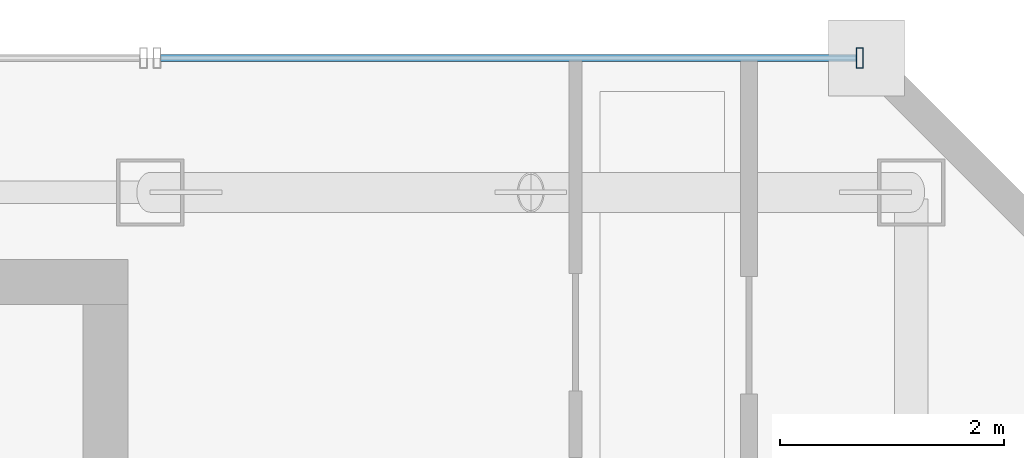
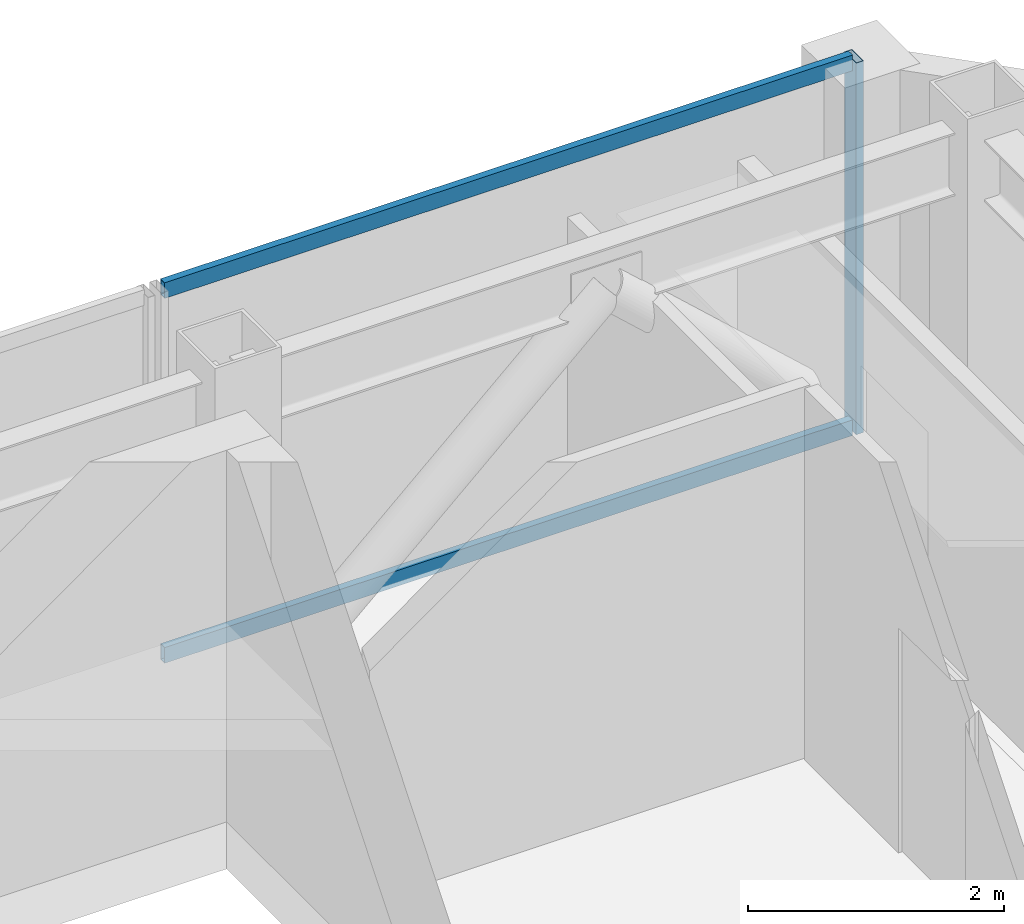
# One storey, part 16 of 25: 3 members, 1 element without a shape of its own.
"""IFC4 building model written with IfcOpenShell, lengths in metres."""

from ifc_helpers import new_model, si_unit, direction, frame, origin, origin_2d, place, context, subcontext, project, spatial, hollow_rectangle, extrude, material, material_profile, profile_set, type_object, element, aggregate, save


model = new_model("IFC4")

# Units and contexts
model_context = context("Model", 3, precision=1e-05, world=origin(), true_north=direction((0.0, 1.0)))
body_context = subcontext(model_context, "Body", "Model", "MODEL_VIEW")
ifc_project = project(units=[si_unit("LENGTHUNIT", "METRE"), si_unit("AREAUNIT", "SQUARE_METRE"), si_unit("VOLUMEUNIT", "CUBIC_METRE"), si_unit("PLANEANGLEUNIT", "RADIAN"), si_unit("MASSUNIT", "GRAM", prefix="KILO")], contexts=[model_context])

# Site, building, storey
site_placement = place(None, origin())
site = spatial("IfcSite", under=ifc_project, at=site_placement, CompositionType="ELEMENT")
building_placement = place(site_placement, origin())
building = spatial("IfcBuilding", under=site, at=building_placement, Name="Saevonmaru Cultural Tower", CompositionType="ELEMENT")
storey_placement = place(building_placement, frame((0.0, 0.0, 276.199951171875)))
storey = spatial("IfcBuildingStorey", under=building, at=storey_placement, Name="L65", CompositionType="ELEMENT", Elevation=276.199951171875)

# Curtain wall, members
ifc_material = material(Name="Satin Bronze Anodised Aluminium", Category="aluminium")
curtain_wall_type = type_object("IfcCurtainWallType", Name="CW-TYP-B", PredefinedType="NOTDEFINED", material=ifc_material)
curtain_wall_placement = place(storey_placement, origin())
curtain_wall = element("IfcCurtainWall", 1, at=curtain_wall_placement, inside=storey, type_object=curtain_wall_type, Name="L65 East Braced Bay Spandrel Curtain Wall E10A", PredefinedType="NOTDEFINED")
ifc_material_profile_1 = material_profile(ifc_material, hollow_rectangle(XDim=0.06494140625, YDim=0.179931640625, WallThickness=0.00390625, at=origin_2d()), Name="ALU-MULL-180x65x4")
ifc_profile_set_1 = profile_set([ifc_material_profile_1], Name="Satin Bronze Anodised Aluminium")
member_type_1 = type_object("IfcMemberType", Name="ML-CW-180x65", PredefinedType="MULLION", material=ifc_profile_set_1)
member_1_placement = place(storey_placement, frame((52.739990234375, 56.0, 0.0), z_axis=(0.0, 0.0, 1.0), x_axis=(-1.0, 0.0, 0.0)))
member_1 = element("IfcMember", 2, at=member_1_placement, type_object=member_type_1, Name="CW-TW-L65-E10A mullion 1", PredefinedType="MULLION", context=body_context, shape_type="SweptSolid", body=[
    extrude(hollow_rectangle(XDim=0.06494140625, YDim=0.179931640625, WallThickness=0.00390625, at=origin_2d()), origin(), (0.0, 0.0, 1.0), 3.550048828125),
])
ifc_material_profile_2 = material_profile(ifc_material, hollow_rectangle(XDim=0.06494140625, YDim=0.14990234375, WallThickness=0.00390625, at=origin_2d()), Name="ALU-TRAN-150x65x4")
ifc_profile_set_2 = profile_set([ifc_material_profile_2], Name="Satin Bronze Anodised Aluminium")
member_type_2 = type_object("IfcMemberType", Name="TR-CW-150x65", PredefinedType="USERDEFINED", material=ifc_profile_set_2)
member_2_placement = place(storey_placement, frame((52.70751953125, 56.0, 0.032470703125), z_axis=(-1.0, 0.0, 0.0), x_axis=(0.0, -1.0, 0.0)))
member_2 = element("IfcMember", 3, at=member_2_placement, type_object=member_type_2, Name="CW-TW-L65-E10A transom 1.1", ObjectType="TRANSOM", PredefinedType="USERDEFINED", context=body_context, shape_type="SweptSolid", body=[
    extrude(hollow_rectangle(XDim=0.06494140625, YDim=0.14990234375, WallThickness=0.00390625, at=origin_2d()), origin(), (0.0, 0.0, 1.0), 6.215087890625),
])
member_3_placement = place(storey_placement, frame((52.70751953125, 56.0, 3.517578125), z_axis=(-1.0, 0.0, 0.0), x_axis=(0.0, -1.0, 0.0)))
member_3 = element("IfcMember", 4, at=member_3_placement, type_object=member_type_2, Name="CW-TW-L65-E10A transom 1.2", ObjectType="TRANSOM", PredefinedType="USERDEFINED", context=body_context, shape_type="SweptSolid", body=[
    extrude(hollow_rectangle(XDim=0.06494140625, YDim=0.14990234375, WallThickness=0.00390625, at=origin_2d()), origin(), (0.0, 0.0, 1.0), 6.215087890625),
])
aggregate(curtain_wall, [member_1, member_2, member_3])

save(model, "model.ifc")
